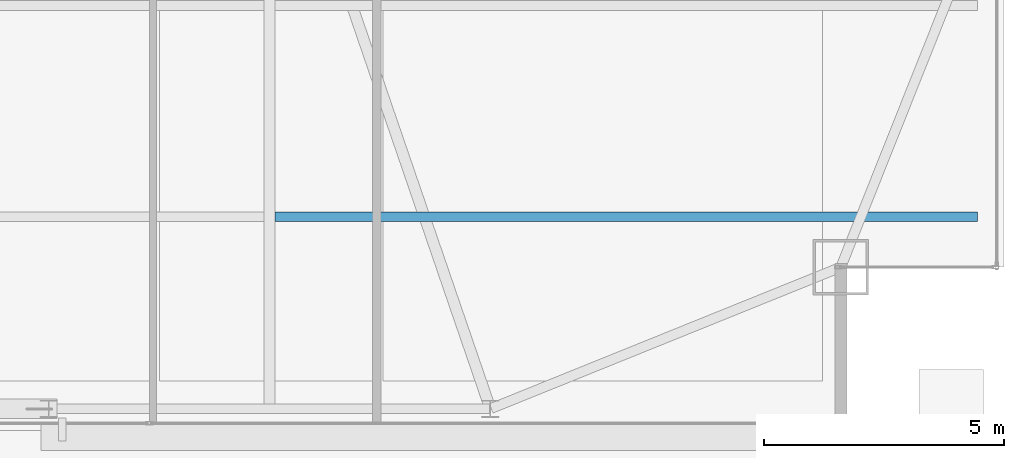
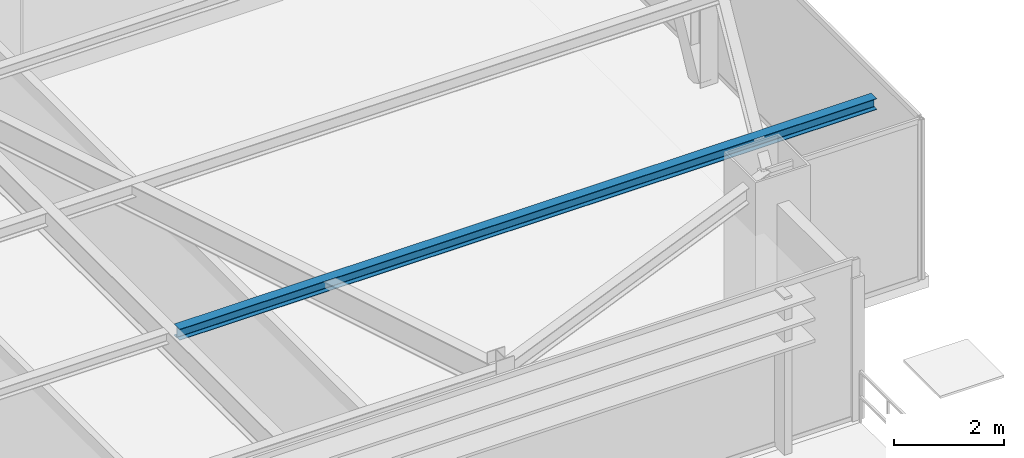
# One storey, part 15 of 33: 1 beam.
"""IFC4 building model written with IfcOpenShell, lengths in metres."""

from ifc_helpers import new_model, si_unit, direction, frame, origin, origin_2d, place, context, subcontext, project, spatial, i_section, extrude, source, transform, mapped, material, material_profile, profile_set, type_object, type_shapes, element, save


model = new_model("IFC4")

# Units and contexts
model_context = context("Model", 3, precision=1e-05, world=origin(), true_north=direction((0.0, 1.0)))
body_context = subcontext(model_context, "Body", "Model", "MODEL_VIEW")
ifc_project = project(units=[si_unit("LENGTHUNIT", "METRE"), si_unit("AREAUNIT", "SQUARE_METRE"), si_unit("VOLUMEUNIT", "CUBIC_METRE"), si_unit("PLANEANGLEUNIT", "RADIAN"), si_unit("MASSUNIT", "GRAM", prefix="KILO")], contexts=[model_context])

# Site, building, storey
site_placement = place(None, origin())
site = spatial("IfcSite", under=ifc_project, at=site_placement, CompositionType="ELEMENT")
building_placement = place(site_placement, origin())
building = spatial("IfcBuilding", under=site, at=building_placement, Name="Varnel Quay Broadcast Tower", CompositionType="ELEMENT")
storey_placement = place(building_placement, frame((0.0, 0.0, 199.800048828125)))
storey = spatial("IfcBuildingStorey", under=building, at=storey_placement, Name="L49", CompositionType="ELEMENT", Elevation=199.800048828125)

# Beam
ifc_material = material(Name="Structural Steel CSA G40.21 350W", Category="steel")
ifc_material_profile = material_profile(ifc_material, i_section(OverallWidth=0.201904296875, OverallDepth=0.2470703125, WebThickness=0.00732421875, FlangeThickness=0.010986328125, FilletRadius=0.010986328125, at=origin_2d()), Name="W250X49")
ifc_profile_set = profile_set([ifc_material_profile], Name="Structural Steel CSA G40.21 350W")
beam_type = type_object("IfcBeamType", Name="Beam_W250X49", PredefinedType="JOIST", material=ifc_profile_set)
shared_shape = source(origin(), body_context, "Body", "SweptSolid", [
    extrude(i_section(OverallWidth=0.201904296875, OverallDepth=0.2470703125, WebThickness=0.00732421875, FlangeThickness=0.010986328125, FilletRadius=0.010986328125, at=origin_2d()), origin(), (0.0, 0.0, 1.0), 14.642333984375),
])
type_shapes(beam_type, [shared_shape])
beam_placement = place(storey_placement, frame((43.31005859375, 14.64990234375, 3.426513671875), z_axis=(1.0, 0.0, 0.0), x_axis=(0.0, 1.0, 0.0)))
element("IfcBeam", 1, at=beam_placement, inside=storey, type_object=beam_type, Name="L49 East Floor Joist 1", PredefinedType="JOIST", context=body_context, shape_type="MappedRepresentation", body=[
    mapped(shared_shape, transform((0.0, 0.0, 0.0), x_axis=(1.0, 0.0, 0.0), y_axis=(0.0, 1.0, 0.0), z_axis=(0.0, 0.0, 1.0), scale=1.0)),
])

save(model, "model.ifc")
